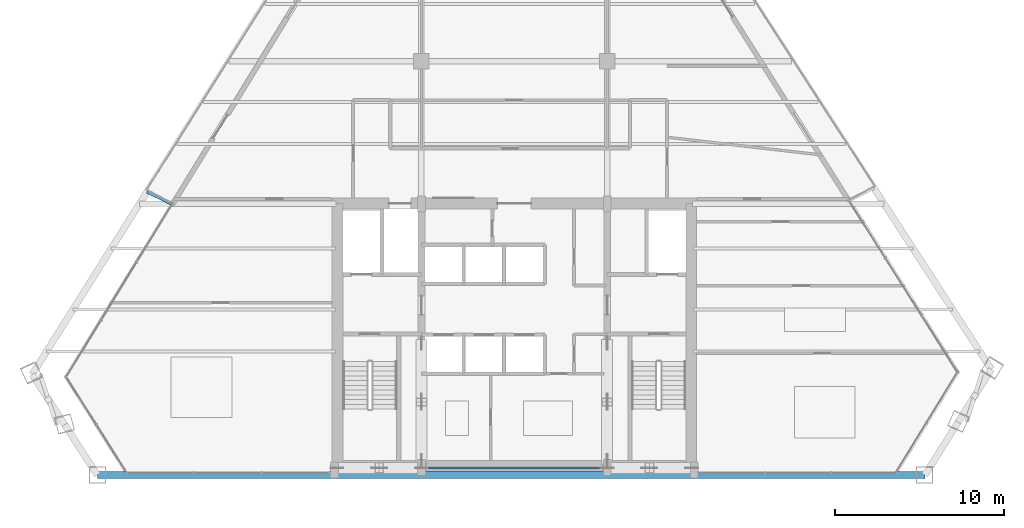
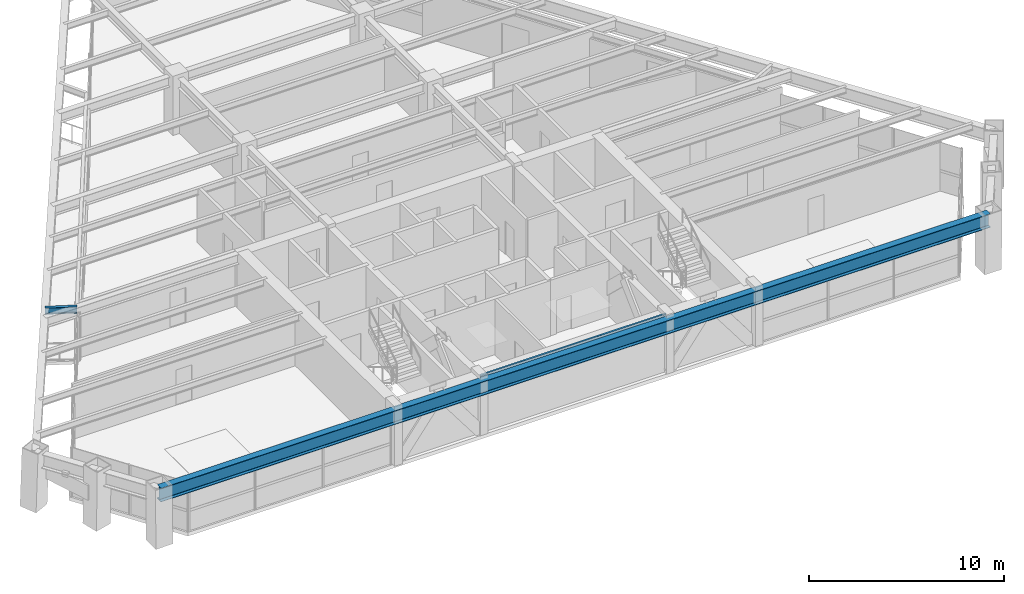
# One storey, part 3 of 15: 3 beams.
"""IFC4 building model written with IfcOpenShell, lengths in metres."""

from ifc_helpers import new_model, si_unit, direction, frame, origin, origin_2d, place, context, subcontext, project, spatial, i_section, extrude, source, transform, mapped, material, material_profile, profile_set, type_object, type_shapes, element, save


model = new_model("IFC4")

# Units and contexts
model_context = context("Model", 3, precision=1e-05, world=origin(), true_north=direction((0.0, 1.0)))
body_context = subcontext(model_context, "Body", "Model", "MODEL_VIEW")
ifc_project = project(units=[si_unit("LENGTHUNIT", "METRE"), si_unit("AREAUNIT", "SQUARE_METRE"), si_unit("VOLUMEUNIT", "CUBIC_METRE"), si_unit("PLANEANGLEUNIT", "RADIAN"), si_unit("MASSUNIT", "GRAM", prefix="KILO")], contexts=[model_context])

# Site, building, storey
site_placement = place(None, origin())
site = spatial("IfcSite", under=ifc_project, at=site_placement, CompositionType="ELEMENT")
building_placement = place(site_placement, origin())
building = spatial("IfcBuilding", under=site, at=building_placement, Name="Varnakhor Terracotta Tower", CompositionType="ELEMENT")
storey_placement = place(building_placement, frame((0.0, 0.0, 196.89990234375)))
storey = spatial("IfcBuildingStorey", under=building, at=storey_placement, Name="L50", CompositionType="ELEMENT", Elevation=196.89990234375)

# Beams
ifc_material = material(Name="Steel S355", Category="steel")
ifc_material_profile_1 = material_profile(ifc_material, i_section(OverallWidth=0.1201171875, OverallDepth=0.239990234375, WebThickness=0.006103515625, FlangeThickness=0.009765625, FilletRadius=0.01806640625, at=origin_2d()), Name="IPE240")
ifc_profile_set_1 = profile_set([ifc_material_profile_1], Name="Steel S355")
beam_type_1 = type_object("IfcBeamType", Name="LNT-IPE240", PredefinedType="LINTEL", material=ifc_profile_set_1)
shared_shape_1 = source(origin(), body_context, "Body", "SweptSolid", [
    extrude(i_section(OverallWidth=0.1201171875, OverallDepth=0.239990234375, WebThickness=0.006103515625, FlangeThickness=0.009765625, FilletRadius=0.01806640625, at=origin_2d()), origin(), (0.0, 0.0, 1.0), 11.0),
])
type_shapes(beam_type_1, [shared_shape_1])
beam_1_placement = place(storey_placement, frame((-5.5, 0.419921875, 3.35009765625), z_axis=(1.0, 0.0, 0.0), x_axis=(0.0, 1.0, 0.0)))
element("IfcBeam", 1, at=beam_1_placement, inside=storey, type_object=beam_type_1, Name="L50 Core South Coupling Lintel", PredefinedType="LINTEL", context=body_context, shape_type="MappedRepresentation", body=[
    mapped(shared_shape_1, transform((0.0, 0.0, 0.0), scale=1.0)),
])
ifc_material_profile_2 = material_profile(ifc_material, i_section(OverallWidth=0.39990234375, OverallDepth=0.85498046875, WebThickness=0.01806640625, FlangeThickness=0.029052734375, FilletRadius=0.01806640625, at=origin_2d()), Name="W33X201")
ifc_profile_set_2 = profile_set([ifc_material_profile_2], Name="Steel S355")
beam_type_2 = type_object("IfcBeamType", Name="BM-W33X201", PredefinedType="BEAM", material=ifc_profile_set_2)
shared_shape_2 = source(origin(), body_context, "Body", "SweptSolid", [
    extrude(i_section(OverallWidth=0.39990234375, OverallDepth=0.85498046875, WebThickness=0.01806640625, FlangeThickness=0.029052734375, FilletRadius=0.01806640625, at=origin_2d()), origin(), (0.0, 0.0, 1.0), 49.006103515625),
])
beam_2_placement = place(storey_placement, frame((-24.6953125, 0.0, 3.04248046875), z_axis=(1.0, 0.0, 0.0), x_axis=(0.0, 1.0, 0.0)))
element("IfcBeam", 2, at=beam_2_placement, inside=storey, type_object=beam_type_2, Name="L50 Perimeter Spandrel 1", PredefinedType="BEAM", context=body_context, shape_type="MappedRepresentation", body=[
    mapped(shared_shape_2, transform((0.0, 0.0, 0.0), scale=1.0)),
])
ifc_material_profile_3 = material_profile(ifc_material, i_section(OverallWidth=0.179931640625, OverallDepth=0.39990234375, WebThickness=0.008544921875, FlangeThickness=0.013427734375, FilletRadius=0.01806640625, at=origin_2d()), Name="IPE400")
ifc_profile_set_3 = profile_set([ifc_material_profile_3], Name="Steel S355")
beam_type_3 = type_object("IfcBeamType", Name="JST-IPE400", PredefinedType="JOIST", material=ifc_profile_set_3)
shared_shape_3 = source(origin(), body_context, "Body", "SweptSolid", [
    extrude(i_section(OverallWidth=0.179931640625, OverallDepth=0.39990234375, WebThickness=0.008544921875, FlangeThickness=0.013427734375, FilletRadius=0.01806640625, at=origin_2d()), origin(), (0.0, 0.0, 1.0), 1.63427734375),
])
beam_3_placement = place(storey_placement, frame((-20.281982421875, 16.05712890625, 3.27001953125), z_axis=(-0.899856750768, 0.436185543201, 0.0), x_axis=(-0.436185543201, -0.899856750768, 0.0)))
element("IfcBeam", 3, at=beam_3_placement, inside=storey, type_object=beam_type_3, Name="L51 W Loggia Tie Beam 1", PredefinedType="JOIST", context=body_context, shape_type="MappedRepresentation", body=[
    mapped(shared_shape_3, transform((0.0, 0.0, 0.0), scale=1.0)),
])

save(model, "model.ifc")
